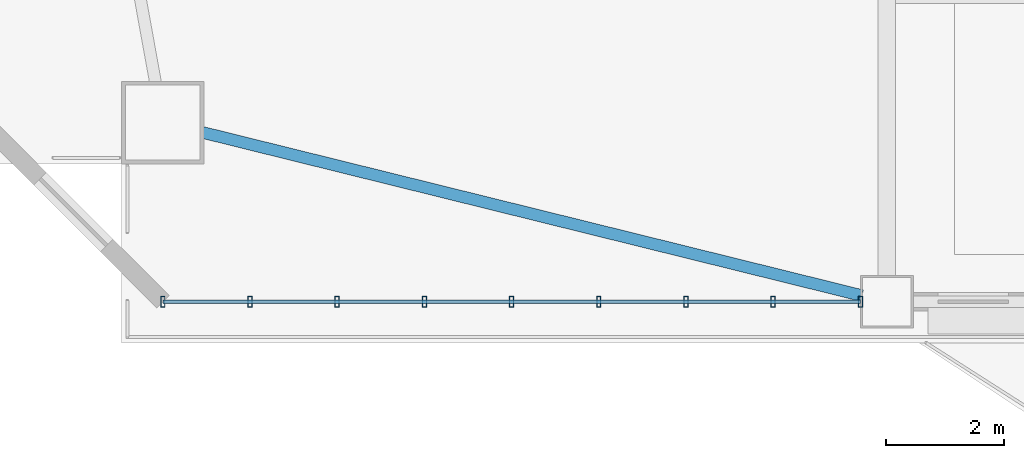
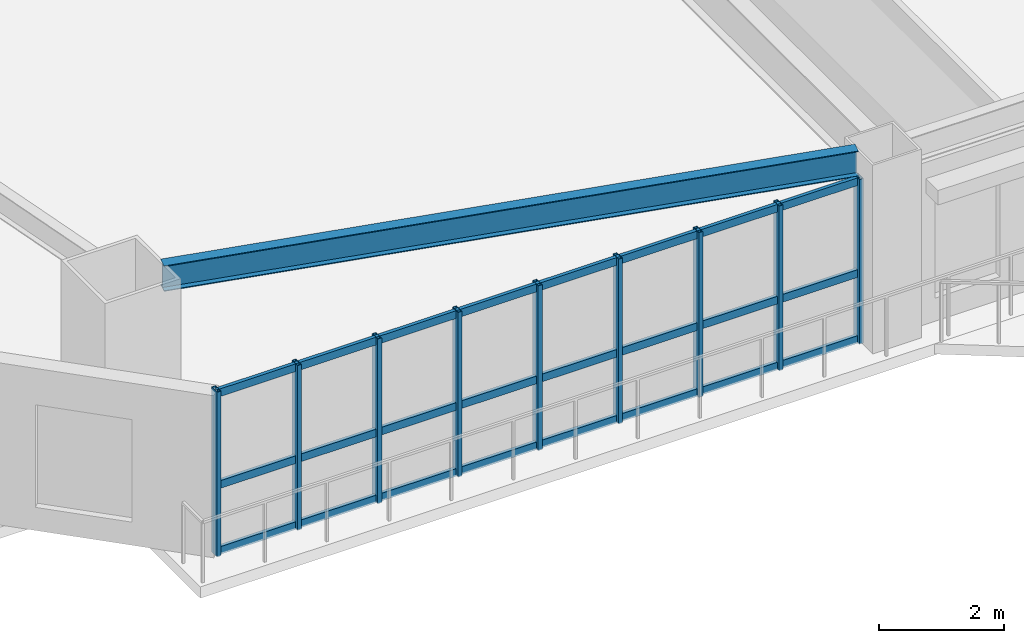
# One storey, part 2 of 15: 12 members, 1 beam, 1 element without a shape of its own.
"""IFC4 building model written with IfcOpenShell, lengths in metres."""

from ifc_helpers import new_model, si_unit, direction, frame, origin, origin_2d, place, context, subcontext, project, spatial, hollow_rectangle, i_section, extrude, source, transform, mapped, material, layer, layer_set, material_profile, profile_set, type_object, element, aggregate, save


model = new_model("IFC4")

# Units and contexts
model_context = context("Model", 3, precision=1e-05, world=origin(), true_north=direction((0.0, 1.0)))
body_context = subcontext(model_context, "Body", "Model", "MODEL_VIEW")
ifc_project = project(units=[si_unit("LENGTHUNIT", "METRE"), si_unit("AREAUNIT", "SQUARE_METRE"), si_unit("VOLUMEUNIT", "CUBIC_METRE"), si_unit("PLANEANGLEUNIT", "RADIAN"), si_unit("MASSUNIT", "GRAM", prefix="KILO")], contexts=[model_context])

# Site, building, storey
site_placement = place(None, origin())
site = spatial("IfcSite", under=ifc_project, at=site_placement, CompositionType="ELEMENT")
building_placement = place(site_placement, origin())
building = spatial("IfcBuilding", under=site, at=building_placement, Name="Giltprow Tower", CompositionType="ELEMENT")
storey_placement = place(building_placement, frame((0.0, 0.0, 103.60009765625)))
storey = spatial("IfcBuildingStorey", under=building, at=storey_placement, Name="L25", CompositionType="ELEMENT", Elevation=103.60009765625)

# Beam
ifc_material_1 = material(Name="Structural steel Q355B", Category="steel")
ifc_material_profile_1 = material_profile(ifc_material_1, i_section(OverallWidth=0.199951171875, OverallDepth=0.5, WebThickness=0.010009765625, FlangeThickness=0.01611328125, at=origin_2d()), Name="HN 500x200x10x16")
ifc_profile_set_1 = profile_set([ifc_material_profile_1], Name="Structural steel Q355B")
beam_type = type_object("IfcBeamType", Name="BM-SPAN-HN500", PredefinedType="SPANDREL", material=ifc_profile_set_1)
shared_shape_1 = source(origin(), body_context, "Body", "SweptSolid", [
    extrude(i_section(OverallWidth=0.199951171875, OverallDepth=0.5, WebThickness=0.010009765625, FlangeThickness=0.01611328125, at=origin_2d()), origin(), (0.0, 0.0, 1.0), 11.548095703125),
])
beam_placement = place(storey_placement, frame((8.218017578125, 9.340087890625, 3.429931640625), z_axis=(0.970716783344, -0.240226823093, 0.0), x_axis=(0.240226823093, 0.970716783344, 0.0)))
element("IfcBeam", 1, at=beam_placement, inside=storey, type_object=beam_type, Name="L25 Perimeter Spandrel Beam MC_SW-S1", PredefinedType="SPANDREL", context=body_context, shape_type="MappedRepresentation", body=[
    mapped(shared_shape_1, transform((0.0, 0.0, 0.0), x_axis=(1.0, 0.0, 0.0), y_axis=(0.0, 1.0, 0.0), z_axis=(0.0, 0.0, 1.0), scale=1.0)),
])

# Curtain wall, members
ifc_material_2 = material(Name="Anodized bronze", Category="metal")
ifc_layer = layer(ifc_material_2, 0.179931640625, Name="Anodized bronze")
ifc_layer_set = layer_set([ifc_layer], Name="Anodized bronze")
curtain_wall_type = type_object("IfcCurtainWallType", Name="CW-OFF-RECESSED", PredefinedType="NOTDEFINED", material=ifc_layer_set)
curtain_wall_placement = place(storey_placement, origin())
curtain_wall = element("IfcCurtainWall", 2, at=curtain_wall_placement, inside=storey, type_object=curtain_wall_type, Name="L25 South Recessed Curtain Wall 1", PredefinedType="NOTDEFINED")
ifc_material_profile_2 = material_profile(ifc_material_2, hollow_rectangle(XDim=0.074951171875, YDim=0.179931640625, WallThickness=0.008056640625, at=origin_2d()), Name="RHS 180x75x8")
ifc_profile_set_2 = profile_set([ifc_material_profile_2], Name="Anodized bronze")
member_type_1 = type_object("IfcMemberType", Name="CW-MULLION-180x75", PredefinedType="MULLION", material=ifc_profile_set_2)
shared_shape_2 = source(origin(), body_context, "Body", "SweptSolid", [
    extrude(hollow_rectangle(XDim=0.074951171875, YDim=0.179931640625, WallThickness=0.008056640625, at=origin_2d()), origin(), (0.0, 0.0, 1.0), 3.21484375),
])
member_1_placement = place(storey_placement, frame((7.552978515625, 6.4619140625, -0.02001953125), z_axis=(0.0, 0.0, 1.0), x_axis=(1.0, 0.0, 0.0)))
member_1 = element("IfcMember", 3, at=member_1_placement, type_object=member_type_1, Name="L25 South Recessed Curtain Wall 1 Mullion 1", PredefinedType="MULLION", context=body_context, shape_type="MappedRepresentation", body=[
    mapped(shared_shape_2, transform((0.0, 0.0, 0.0), x_axis=(1.0, 0.0, 0.0), y_axis=(0.0, 1.0, 0.0), z_axis=(0.0, 0.0, 1.0), scale=1.0)),
])
member_2_placement = place(storey_placement, frame((9.033935546875, 6.4619140625, -0.02001953125), z_axis=(0.0, 0.0, 1.0), x_axis=(1.0, 0.0, 0.0)))
member_2 = element("IfcMember", 4, at=member_2_placement, type_object=member_type_1, Name="L25 South Recessed Curtain Wall 1 Mullion 2", PredefinedType="MULLION", context=body_context, shape_type="MappedRepresentation", body=[
    mapped(shared_shape_2, transform((0.0, 0.0, 0.0), x_axis=(1.0, 0.0, 0.0), y_axis=(0.0, 1.0, 0.0), z_axis=(0.0, 0.0, 1.0), scale=1.0)),
])
member_3_placement = place(storey_placement, frame((10.514892578125, 6.4619140625, -0.02001953125), z_axis=(0.0, 0.0, 1.0), x_axis=(1.0, 0.0, 0.0)))
member_3 = element("IfcMember", 5, at=member_3_placement, type_object=member_type_1, Name="L25 South Recessed Curtain Wall 1 Mullion 3", PredefinedType="MULLION", context=body_context, shape_type="MappedRepresentation", body=[
    mapped(shared_shape_2, transform((0.0, 0.0, 0.0), x_axis=(1.0, 0.0, 0.0), y_axis=(0.0, 1.0, 0.0), z_axis=(0.0, 0.0, 1.0), scale=1.0)),
])
member_4_placement = place(storey_placement, frame((11.99609375, 6.4619140625, -0.02001953125), z_axis=(0.0, 0.0, 1.0), x_axis=(1.0, 0.0, 0.0)))
member_4 = element("IfcMember", 6, at=member_4_placement, type_object=member_type_1, Name="L25 South Recessed Curtain Wall 1 Mullion 4", PredefinedType="MULLION", context=body_context, shape_type="MappedRepresentation", body=[
    mapped(shared_shape_2, transform((0.0, 0.0, 0.0), x_axis=(1.0, 0.0, 0.0), y_axis=(0.0, 1.0, 0.0), z_axis=(0.0, 0.0, 1.0), scale=1.0)),
])
member_5_placement = place(storey_placement, frame((13.47607421875, 6.4619140625, -0.02001953125), z_axis=(0.0, 0.0, 1.0), x_axis=(1.0, 0.0, 0.0)))
member_5 = element("IfcMember", 7, at=member_5_placement, type_object=member_type_1, Name="L25 South Recessed Curtain Wall 1 Mullion 5", PredefinedType="MULLION", context=body_context, shape_type="MappedRepresentation", body=[
    mapped(shared_shape_2, transform((0.0, 0.0, 0.0), x_axis=(1.0, 0.0, 0.0), y_axis=(0.0, 1.0, 0.0), z_axis=(0.0, 0.0, 1.0), scale=1.0)),
])
member_6_placement = place(storey_placement, frame((14.95703125, 6.4619140625, -0.02001953125), z_axis=(0.0, 0.0, 1.0), x_axis=(1.0, 0.0, 0.0)))
member_6 = element("IfcMember", 8, at=member_6_placement, type_object=member_type_1, Name="L25 South Recessed Curtain Wall 1 Mullion 6", PredefinedType="MULLION", context=body_context, shape_type="MappedRepresentation", body=[
    mapped(shared_shape_2, transform((0.0, 0.0, 0.0), x_axis=(1.0, 0.0, 0.0), y_axis=(0.0, 1.0, 0.0), z_axis=(0.0, 0.0, 1.0), scale=1.0)),
])
member_7_placement = place(storey_placement, frame((16.43798828125, 6.4619140625, -0.02001953125), z_axis=(0.0, 0.0, 1.0), x_axis=(1.0, 0.0, 0.0)))
member_7 = element("IfcMember", 9, at=member_7_placement, type_object=member_type_1, Name="L25 South Recessed Curtain Wall 1 Mullion 7", PredefinedType="MULLION", context=body_context, shape_type="MappedRepresentation", body=[
    mapped(shared_shape_2, transform((0.0, 0.0, 0.0), x_axis=(1.0, 0.0, 0.0), y_axis=(0.0, 1.0, 0.0), z_axis=(0.0, 0.0, 1.0), scale=1.0)),
])
member_8_placement = place(storey_placement, frame((17.9189453125, 6.4619140625, -0.02001953125), z_axis=(0.0, 0.0, 1.0), x_axis=(1.0, 0.0, 0.0)))
member_8 = element("IfcMember", 10, at=member_8_placement, type_object=member_type_1, Name="L25 South Recessed Curtain Wall 1 Mullion 8", PredefinedType="MULLION", context=body_context, shape_type="MappedRepresentation", body=[
    mapped(shared_shape_2, transform((0.0, 0.0, 0.0), x_axis=(1.0, 0.0, 0.0), y_axis=(0.0, 1.0, 0.0), z_axis=(0.0, 0.0, 1.0), scale=1.0)),
])
member_9_placement = place(storey_placement, frame((19.39990234375, 6.4619140625, -0.02001953125), z_axis=(0.0, 0.0, 1.0), x_axis=(1.0, 0.0, 0.0)))
member_9 = element("IfcMember", 11, at=member_9_placement, type_object=member_type_1, Name="L25 South Recessed Curtain Wall 1 Mullion 9", PredefinedType="MULLION", context=body_context, shape_type="MappedRepresentation", body=[
    mapped(shared_shape_2, transform((0.0, 0.0, 0.0), x_axis=(1.0, 0.0, 0.0), y_axis=(0.0, 1.0, 0.0), z_axis=(0.0, 0.0, 1.0), scale=1.0)),
])
ifc_material_profile_3 = material_profile(ifc_material_2, hollow_rectangle(XDim=0.06494140625, YDim=0.14990234375, WallThickness=0.006103515625, at=origin_2d()), Name="RHS 150x65x6")
ifc_profile_set_3 = profile_set([ifc_material_profile_3], Name="Anodized bronze")
member_type_2 = type_object("IfcMemberType", Name="CW-TRANSOM-150x65", PredefinedType="USERDEFINED", material=ifc_profile_set_3)
shared_shape_3 = source(origin(), body_context, "Body", "SweptSolid", [
    extrude(hollow_rectangle(XDim=0.06494140625, YDim=0.14990234375, WallThickness=0.006103515625, at=origin_2d()), origin(), (0.0, 0.0, 1.0), 11.846923828125),
])
member_10_placement = place(storey_placement, frame((7.552978515625, 6.4619140625, 0.039794921875), z_axis=(1.0, 0.0, 0.0), x_axis=(0.0, 1.0, 0.0)))
member_10 = element("IfcMember", 12, at=member_10_placement, type_object=member_type_2, Name="L25 South Recessed Curtain Wall 1 Transom 1", ObjectType="TRANSOM", PredefinedType="USERDEFINED", context=body_context, shape_type="MappedRepresentation", body=[
    mapped(shared_shape_3, transform((0.0, 0.0, 0.0), x_axis=(1.0, 0.0, 0.0), y_axis=(0.0, 1.0, 0.0), z_axis=(0.0, 0.0, 1.0), scale=1.0)),
])
member_11_placement = place(storey_placement, frame((7.552978515625, 6.4619140625, 1.326904296875), z_axis=(1.0, 0.0, 0.0), x_axis=(0.0, 1.0, 0.0)))
member_11 = element("IfcMember", 13, at=member_11_placement, type_object=member_type_2, Name="L25 South Recessed Curtain Wall 1 Transom 2", ObjectType="TRANSOM", PredefinedType="USERDEFINED", context=body_context, shape_type="MappedRepresentation", body=[
    mapped(shared_shape_3, transform((0.0, 0.0, 0.0), x_axis=(1.0, 0.0, 0.0), y_axis=(0.0, 1.0, 0.0), z_axis=(0.0, 0.0, 1.0), scale=1.0)),
])
member_12_placement = place(storey_placement, frame((7.552978515625, 6.4619140625, 3.119873046875), z_axis=(1.0, 0.0, 0.0), x_axis=(0.0, 1.0, 0.0)))
member_12 = element("IfcMember", 14, at=member_12_placement, type_object=member_type_2, Name="L25 South Recessed Curtain Wall 1 Transom 3", ObjectType="TRANSOM", PredefinedType="USERDEFINED", context=body_context, shape_type="MappedRepresentation", body=[
    mapped(shared_shape_3, transform((0.0, 0.0, 0.0), x_axis=(1.0, 0.0, 0.0), y_axis=(0.0, 1.0, 0.0), z_axis=(0.0, 0.0, 1.0), scale=1.0)),
])
aggregate(curtain_wall, [member_1, member_2, member_3, member_4, member_5, member_6, member_7, member_8, member_9, member_10, member_11, member_12])

save(model, "model.ifc")
